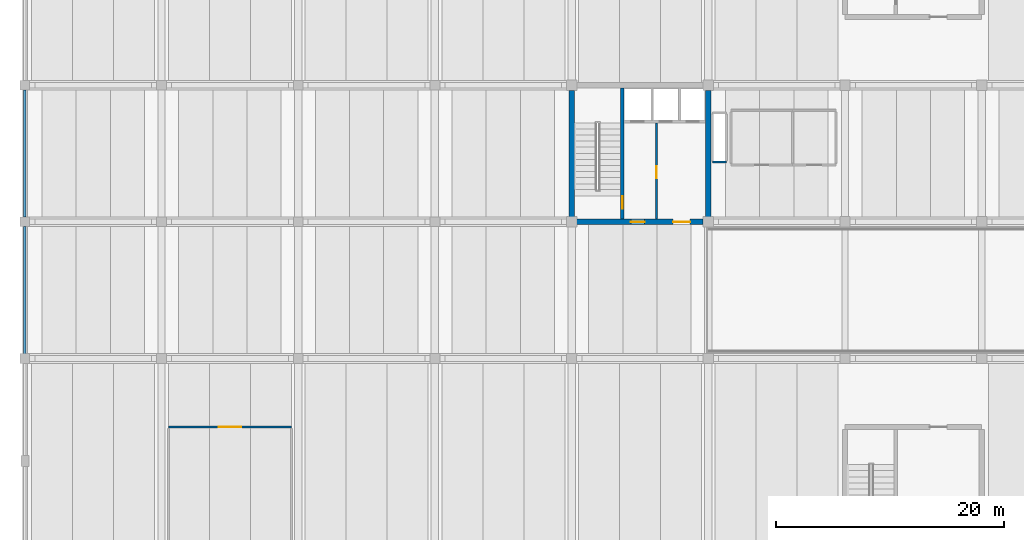
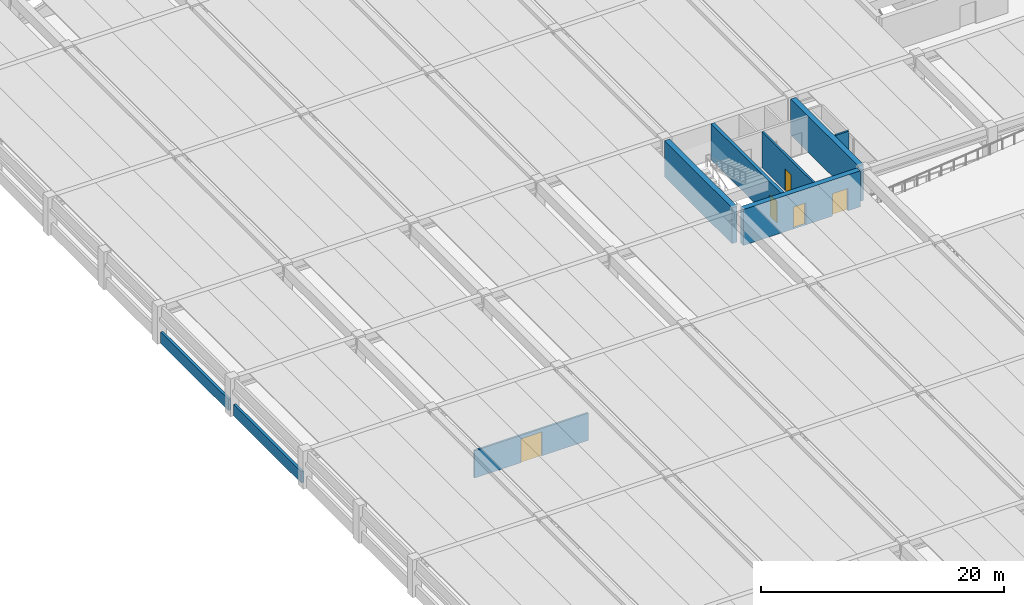
# One storey, part 7 of 19: 9 walls, 5 doors, 5 openings.
"""IFC4 building model written with IfcOpenShell, lengths in metres."""

from ifc_helpers import new_model, si_unit, direction, frame, frame_2d, origin, place, context, subcontext, project, spatial, rectangle, extrude, material, layer, layer_set, type_object, element, fill, save


model = new_model("IFC4")

# Units and contexts
model_context = context("Model", 3, precision=1e-05, world=origin(), true_north=direction((0.0, 1.0)))
body_context = subcontext(model_context, "Body", "Model", "MODEL_VIEW")
ifc_project = project(units=[si_unit("LENGTHUNIT", "METRE"), si_unit("AREAUNIT", "SQUARE_METRE"), si_unit("VOLUMEUNIT", "CUBIC_METRE"), si_unit("PLANEANGLEUNIT", "RADIAN"), si_unit("MASSUNIT", "GRAM", prefix="KILO")], contexts=[model_context])

# Site, building, storey
site_placement = place(None, origin())
site = spatial("IfcSite", under=ifc_project, at=site_placement, CompositionType="ELEMENT")
building_placement = place(site_placement, origin())
building = spatial("IfcBuilding", under=site, at=building_placement, Name="Girod Span Mobility Hub", CompositionType="ELEMENT")
storey_placement = place(building_placement, frame((0.0, 0.0, 13.39990234375)))
storey = spatial("IfcBuildingStorey", under=building, at=storey_placement, Name="L03", CompositionType="ELEMENT", Elevation=13.39990234375)

# Wall, openings, doors
ifc_material_1 = material(Name="Concrete C40/50", Category="concrete")
ifc_layer_1 = layer(ifc_material_1, 0.5)
ifc_layer_set_1 = layer_set([ifc_layer_1], Name="Concrete C40/50")
wall_type_1 = type_object("IfcWallType", Name="W-CW-500", PredefinedType="SHEAR", material=ifc_layer_set_1)
wall_1_placement = place(storey_placement, frame((48.447021484375, 57.0, 0.0), z_axis=(0.0, 0.0, 1.0), x_axis=(1.0, 0.0, 0.0)))
wall_1 = element("IfcWall", 1, at=wall_1_placement, inside=storey, type_object=wall_type_1, Name="Core C1 Shear Wall S L03", PredefinedType="SHEAR", context=body_context, shape_type="SweptSolid", body=[
    extrude(rectangle(XDim=11.10595703125, YDim=0.5, at=frame_2d((5.552978515625, 0.0))), origin(), (0.0, 0.0, 1.0), 3.6181640625),
])
opening_1_placement = place(wall_1_placement, frame((4.7529296875, 0.0, 0.0)))
opening_1 = element("IfcOpeningElement", 2, at=opening_1_placement, cuts=wall_1, Name="Opening D-FL-C1-L03", PredefinedType="OPENING", context=body_context, shape_type="SweptSolid", body=[
    extrude(rectangle(XDim=1.199951171875, YDim=2.199951171875, at=frame_2d((0.60009765625, 1.10009765625))), frame((0.0, 0.264892578125, 0.0), z_axis=(0.0, -1.0, 0.0), x_axis=(1.0, 0.0, 0.0)), (0.0, 0.0, 1.0), 0.530029296875),
])
opening_2_placement = place(wall_1_placement, frame((8.452880859375, 0.0, 0.0)))
opening_2 = element("IfcOpeningElement", 3, at=opening_2_placement, cuts=wall_1, Name="Opening D-LB-C1-L03", PredefinedType="OPENING", context=body_context, shape_type="SweptSolid", body=[
    extrude(rectangle(XDim=1.5, YDim=2.25, at=frame_2d((0.75, 1.125))), frame((0.0, 0.264892578125, 0.0), z_axis=(0.0, -1.0, 0.0), x_axis=(1.0, 0.0, 0.0)), (0.0, 0.0, 1.0), 0.530029296875),
])
ifc_material_2 = material(Name="Fire-Rated Insulated Hollow Metal Steel", Category="steel")
door_type_1 = type_object("IfcDoorType", Name="DT-FD-03", OperationType="DOUBLE_DOOR_SINGLE_SWING", PredefinedType="DOOR", material=ifc_material_2)
door_1_placement = place(opening_2_placement, origin())
door_1 = element("IfcDoor", 4, at=door_1_placement, inside=storey, type_object=door_type_1, Name="Lift Lobby Entry Door C1 L03", OperationType="DOUBLE_DOOR_SINGLE_SWING", OverallHeight=2.25, OverallWidth=1.5, PredefinedType="DOOR", context=body_context, shape_type="SweptSolid", body=[
    extrude(rectangle(XDim=1.5, YDim=2.25, at=frame_2d((0.75, 1.125))), frame((0.0, 0.02490234375, 0.0), z_axis=(0.0, -1.0, 0.0), x_axis=(1.0, 0.0, 0.0)), (0.0, 0.0, 1.0), 0.050048828125),
])
fill(opening_2, door_1)
ifc_material_3 = material(Name="Fire-Rated Insulated Hollow Metal Steel", Category="steel")
door_type_2 = type_object("IfcDoorType", Name="DT-FD-05", OperationType="NOTDEFINED", PredefinedType="DOOR", material=ifc_material_3)
door_2_placement = place(opening_1_placement, origin())
door_2 = element("IfcDoor", 5, at=door_2_placement, inside=storey, type_object=door_type_2, Name="Firefighting Lobby Entry Door C1 L03", OperationType="SINGLE_SWING_RIGHT", OverallHeight=2.199951171875, OverallWidth=1.199951171875, PredefinedType="DOOR", context=body_context, shape_type="SweptSolid", body=[
    extrude(rectangle(XDim=1.199951171875, YDim=2.199951171875, at=frame_2d((0.60009765625, 1.10009765625))), frame((0.0, 0.02490234375, 0.0), z_axis=(0.0, -1.0, 0.0), x_axis=(1.0, 0.0, 0.0)), (0.0, 0.0, 1.0), 0.050048828125),
])
fill(opening_1, door_2)

# Walls
for number, where, z_axis, x_axis, name in (
    (6, (48.0, 57.447021484375, 0.0), (0.0, 0.0, 1.0), (0.0, 1.0, 0.0), "Core C1 Shear Wall W L03"),
    (7, (60.0, 57.447021484375, 0.0), (0.0, 0.0, 1.0), (0.0, 1.0, 0.0), "Core C1 Shear Wall E L03"),
):
    element("IfcWall", number, at=place(storey_placement, frame(where, z_axis=z_axis, x_axis=x_axis)), inside=storey, type_object=wall_type_1, Name=name, PredefinedType="SHEAR", context=body_context, shape_type="SweptSolid", body=[
        extrude(rectangle(XDim=11.10595703125, YDim=0.5, at=frame_2d((5.552978515625, 0.0))), origin(), (0.0, 0.0, 1.0), 3.6181640625),
    ])

# Wall, opening, door
ifc_material_4 = material(Name="Concrete C40/50", Category="concrete")
ifc_layer_2 = layer(ifc_material_4, 0.18994140625)
ifc_layer_set_2 = layer_set([ifc_layer_2], Name="Concrete C40/50")
wall_type_2 = type_object("IfcWallType", Name="W-FL-190", PredefinedType="SOLIDWALL", material=ifc_layer_set_2)
wall_2_placement = place(storey_placement, frame((55.449951171875, 57.25, 0.0), z_axis=(0.0, 0.0, 1.0), x_axis=(0.0, 1.0, 0.0)))
wall_2 = element("IfcWall", 8, at=wall_2_placement, inside=storey, type_object=wall_type_2, Name="Core C1 Firefighting Lobby Wall L03", PredefinedType="SOLIDWALL", context=body_context, shape_type="SweptSolid", body=[
    extrude(rectangle(XDim=8.429931640625, YDim=0.18994140625, at=frame_2d((4.21484375, 0.0))), origin(), (0.0, 0.0, 1.0), 3.608154296875),
])
opening_3_placement = place(wall_2_placement, frame((3.60009765625, 0.0, 0.0)))
opening_3 = element("IfcOpeningElement", 9, at=opening_3_placement, cuts=wall_2, Name="Opening D-FLX-C1-L03", PredefinedType="OPENING", context=body_context, shape_type="SweptSolid", body=[
    extrude(rectangle(XDim=1.0400390625, YDim=2.179931640625, at=frame_2d((0.52001953125, 1.08984375))), frame((0.0, 0.10986328125, 0.0), z_axis=(0.0, -1.0, 0.0), x_axis=(1.0, 0.0, 0.0)), (0.0, 0.0, 1.0), 0.219970703125),
])
ifc_material_5 = material(Name="Fire-Rated Insulated Hollow Metal Steel", Category="steel")
door_type_3 = type_object("IfcDoorType", Name="DT-FD-02", OperationType="NOTDEFINED", PredefinedType="DOOR", material=ifc_material_5)
door_3_placement = place(opening_3_placement, origin())
door_3 = element("IfcDoor", 10, at=door_3_placement, inside=storey, type_object=door_type_3, Name="Firefighting Lobby Interconnect Door C1 L03", OperationType="SINGLE_SWING_RIGHT", OverallHeight=2.179931640625, OverallWidth=1.0400390625, PredefinedType="DOOR", context=body_context, shape_type="SweptSolid", body=[
    extrude(rectangle(XDim=1.0400390625, YDim=2.179931640625, at=frame_2d((0.52001953125, 1.08984375))), frame((0.0, 0.02490234375, 0.0), z_axis=(0.0, -1.0, 0.0), x_axis=(1.0, 0.0, 0.0)), (0.0, 0.0, 1.0), 0.050048828125),
])
fill(opening_3, door_3)

ifc_material_6 = material(Name="Reinforced Concrete Masonry Block", Category="masonry")
ifc_layer_3 = layer(ifc_material_6, 0.179931640625)
ifc_layer_set_3 = layer_set([ifc_layer_3], Name="Reinforced Concrete Masonry Block")
wall_type_3 = type_object("IfcWallType", Name="W-FP-180", PredefinedType="SOLIDWALL", material=ifc_layer_set_3)
wall_3_placement = place(storey_placement, frame((12.60009765625, 39.0, 0.0), z_axis=(0.0, 0.0, 1.0), x_axis=(1.0, 0.0, 0.0)))
wall_3 = element("IfcWall", 11, at=wall_3_placement, inside=storey, type_object=wall_type_3, Name="Transformer Room L03 Partition N", PredefinedType="SOLIDWALL", context=body_context, shape_type="SweptSolid", body=[
    extrude(rectangle(XDim=10.7998046875, YDim=0.179931640625, at=frame_2d((5.39990234375, 0.0))), origin(), (0.0, 0.0, 1.0), 2.75),
])
opening_4_placement = place(wall_3_placement, frame((4.409912109375, 0.0, 0.0)))
opening_4 = element("IfcOpeningElement", 12, at=opening_4_placement, cuts=wall_3, Name="Opening D-L03-EV-TRF", PredefinedType="OPENING", context=body_context, shape_type="SweptSolid", body=[
    extrude(rectangle(XDim=1.97998046875, YDim=2.39990234375, at=frame_2d((0.989990234375, 1.199951171875))), frame((0.0, 0.10498046875, 0.0), z_axis=(0.0, -1.0, 0.0), x_axis=(1.0, 0.0, 0.0)), (0.0, 0.0, 1.0), 0.2099609375),
])
ifc_material_7 = material(Name="Fire-Rated Insulated Hollow Metal Steel", Category="steel")
door_type_4 = type_object("IfcDoorType", Name="DT-FD-11", OperationType="DOUBLE_DOOR_SINGLE_SWING", PredefinedType="DOOR", material=ifc_material_7)
door_4_placement = place(opening_4_placement, origin())
door_4 = element("IfcDoor", 13, at=door_4_placement, inside=storey, type_object=door_type_4, Name="Transformer Room L03 Door", OperationType="DOUBLE_DOOR_SINGLE_SWING", OverallHeight=2.39990234375, OverallWidth=1.97998046875, PredefinedType="DOOR", context=body_context, shape_type="SweptSolid", body=[
    extrude(rectangle(XDim=1.97998046875, YDim=2.39990234375, at=frame_2d((0.989990234375, 1.199951171875))), frame((0.0, 0.02490234375, 0.0), z_axis=(0.0, -1.0, 0.0), x_axis=(1.0, 0.0, 0.0)), (0.0, 0.0, 1.0), 0.050048828125),
])
fill(opening_4, door_4)

# Walls
ifc_material_8 = material(Name="Precast Architectural Concrete C40/50", Category="concrete")
ifc_layer_4 = layer(ifc_material_8, 0.239990234375)
ifc_layer_set_4 = layer_set([ifc_layer_4], Name="Precast Architectural Concrete C40/50")
wall_type_4 = type_object("IfcWallType", Name="W-PAR-240", PredefinedType="PARAPET", material=ifc_layer_set_4)
for number, where, z_axis, x_axis, name in (
    (14, (0.0, 45.423095703125, 0.0), (0.0, 0.0, 1.0), (0.0, 1.0, 0.0), "Precast Side Barrier Parapet W-D-1 L03"),
    (15, (0.0, 57.423095703125, 0.0), (0.0, 0.0, 1.0), (0.0, 1.0, 0.0), "Precast Side Barrier Parapet W-E-1 L03"),
):
    element("IfcWall", number, at=place(storey_placement, frame(where, z_axis=z_axis, x_axis=x_axis)), inside=storey, type_object=wall_type_4, Name=name, PredefinedType="PARAPET", context=body_context, shape_type="SweptSolid", body=[
        extrude(rectangle(XDim=11.15380859375, YDim=0.239990234375, at=frame_2d((5.576904296875, 0.0))), origin(), (0.0, 0.0, 1.0), 1.150146484375),
    ])
ifc_material_9 = material(Name="Concrete C40/50", Category="concrete")
ifc_layer_5 = layer(ifc_material_9, 0.199951171875)
ifc_layer_set_5 = layer_set([ifc_layer_5], Name="Concrete C40/50")
wall_type_5 = type_object("IfcWallType", Name="W-SH-200", PredefinedType="SOLIDWALL", material=ifc_layer_set_5)
wall_4_placement = place(storey_placement, frame((60.346923828125, 62.25, 0.0), z_axis=(0.0, 0.0, 1.0), x_axis=(1.0, 0.0, 0.0)))
element("IfcWall", 16, at=wall_4_placement, inside=storey, type_object=wall_type_5, Name="Sanitary Wet Riser Shaft Wall S L03", PredefinedType="SOLIDWALL", context=body_context, shape_type="SweptSolid", body=[
    extrude(rectangle(XDim=1.233154296875, YDim=0.199951171875, at=frame_2d((0.61669921875, 0.0))), origin(), (0.0, 0.0, 1.0), 3.6181640625),
])

# Wall, opening, door
ifc_material_10 = material(Name="Concrete C40/50", Category="concrete")
ifc_layer_6 = layer(ifc_material_10, 0.300048828125)
ifc_layer_set_6 = layer_set([ifc_layer_6], Name="Concrete C40/50")
wall_type_6 = type_object("IfcWallType", Name="W-SH-300", PredefinedType="SHEAR", material=ifc_layer_set_6)
wall_5_placement = place(storey_placement, frame((52.449951171875, 57.2470703125, 0.0), z_axis=(0.0, 0.0, 1.0), x_axis=(0.0, 1.0, 0.0)))
wall_5 = element("IfcWall", 17, at=wall_5_placement, inside=storey, type_object=wall_type_6, Name="Core C1 Stairwell Spine Wall L03", PredefinedType="SHEAR", context=body_context, shape_type="SweptSolid", body=[
    extrude(rectangle(XDim=11.505859375, YDim=0.300048828125, at=frame_2d((5.7529296875, 0.0))), origin(), (0.0, 0.0, 1.0), 3.6181640625),
])
opening_5_placement = place(wall_5_placement, frame((0.89990234375, 0.0, 0.0)))
opening_5 = element("IfcOpeningElement", 18, at=opening_5_placement, cuts=wall_5, Name="Opening D-ST-1-L03", PredefinedType="OPENING", context=body_context, shape_type="SweptSolid", body=[
    extrude(rectangle(XDim=1.10009765625, YDim=2.199951171875, at=frame_2d((0.550048828125, 1.10009765625))), frame((0.0, 0.1650390625, 0.0), z_axis=(0.0, -1.0, 0.0), x_axis=(1.0, 0.0, 0.0)), (0.0, 0.0, 1.0), 0.330078125),
])
ifc_material_11 = material(Name="Fire-Rated Insulated Hollow Metal Steel", Category="steel")
door_type_5 = type_object("IfcDoorType", Name="DT-FD-01", OperationType="NOTDEFINED", PredefinedType="DOOR", material=ifc_material_11)
door_5_placement = place(opening_5_placement, origin())
door_5 = element("IfcDoor", 19, at=door_5_placement, inside=storey, type_object=door_type_5, Name="Stair ST-1 Fire Door L03", OperationType="SINGLE_SWING_LEFT", OverallHeight=2.199951171875, OverallWidth=1.10009765625, PredefinedType="DOOR", context=body_context, shape_type="SweptSolid", body=[
    extrude(rectangle(XDim=1.10009765625, YDim=2.199951171875, at=frame_2d((0.550048828125, 1.10009765625))), frame((0.0, 0.02490234375, 0.0), z_axis=(0.0, -1.0, 0.0), x_axis=(1.0, 0.0, 0.0)), (0.0, 0.0, 1.0), 0.050048828125),
])
fill(opening_5, door_5)

save(model, "model.ifc")
